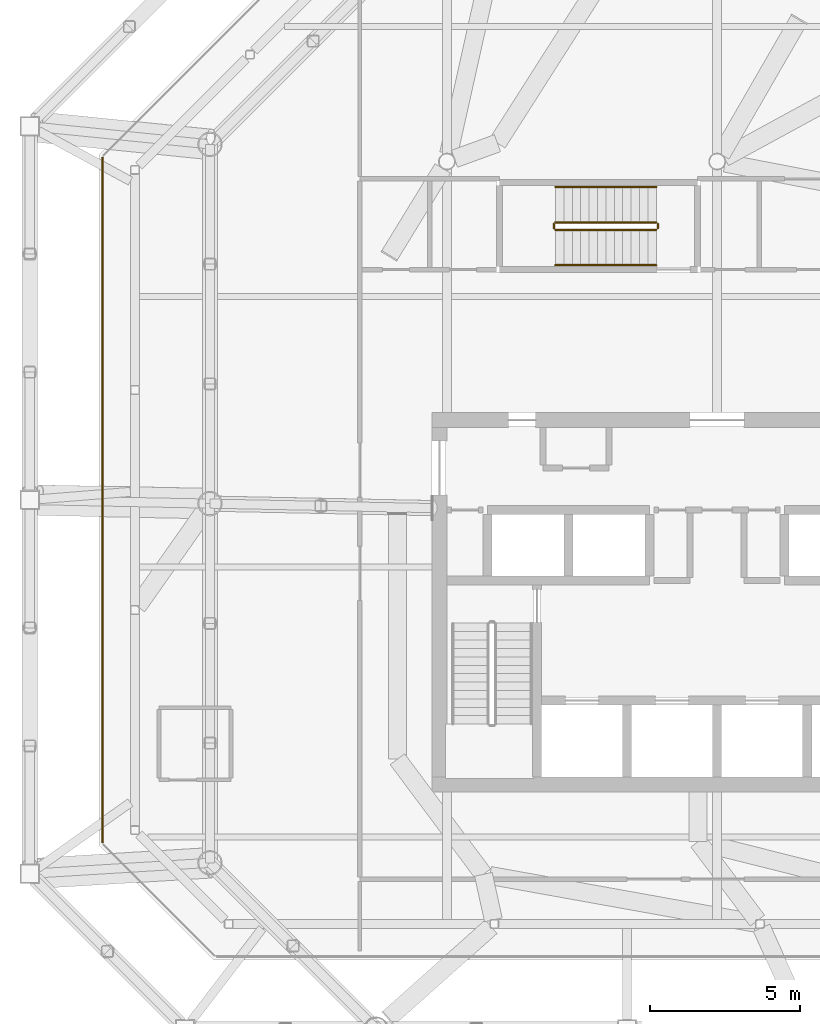
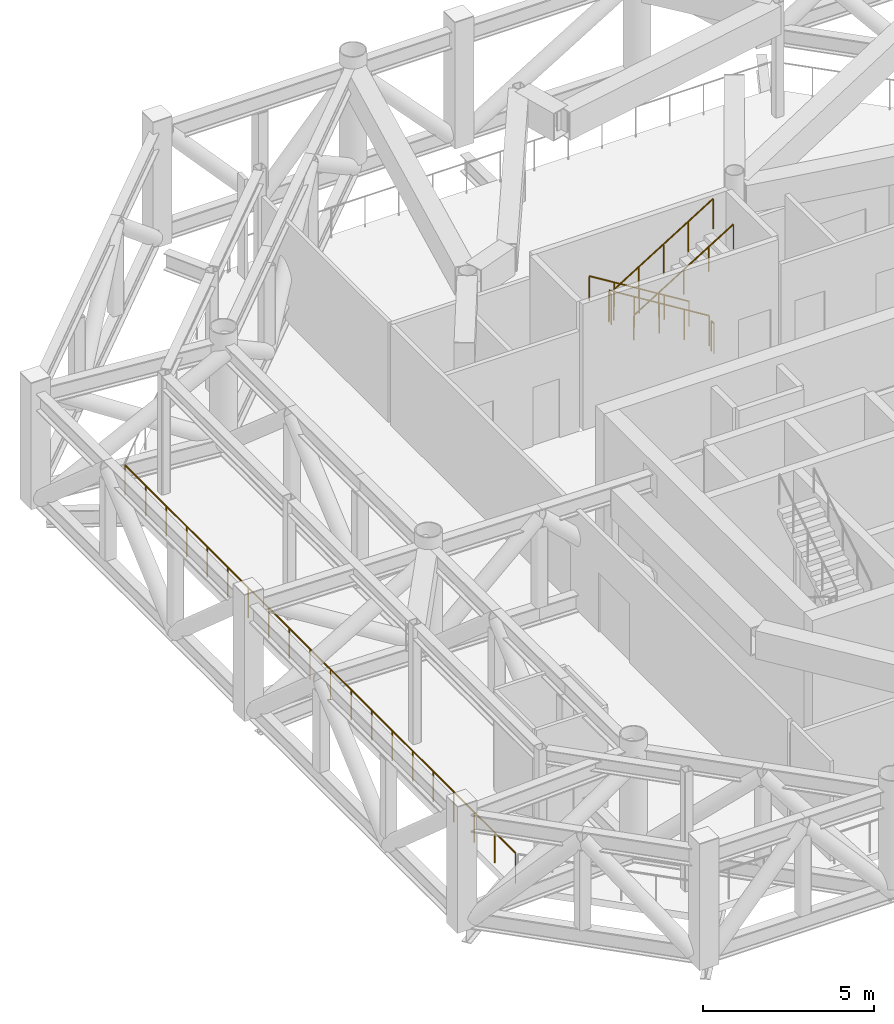
# One storey, part 13 of 14: 7 railings.
"""IFC4 building model written with IfcOpenShell, lengths in metres."""

from ifc_helpers import new_model, si_unit, direction, frame, origin, origin_2d, place, context, subcontext, project, spatial, circle, extrude, material, type_object, element, save


model = new_model("IFC4")

# Units and contexts
model_context = context("Model", 3, precision=1e-05, world=origin(), true_north=direction((0.0, 1.0)))
body_context = subcontext(model_context, "Body", "Model", "MODEL_VIEW")
ifc_project = project(units=[si_unit("LENGTHUNIT", "METRE"), si_unit("AREAUNIT", "SQUARE_METRE"), si_unit("VOLUMEUNIT", "CUBIC_METRE"), si_unit("PLANEANGLEUNIT", "RADIAN"), si_unit("MASSUNIT", "GRAM", prefix="KILO")], contexts=[model_context])

# Site, building, storey
site_placement = place(None, origin())
site = spatial("IfcSite", under=ifc_project, at=site_placement, CompositionType="ELEMENT")
building_placement = place(site_placement, origin())
building = spatial("IfcBuilding", under=site, at=building_placement, Name="Tskaro Facet Tower", CompositionType="ELEMENT")
storey_placement = place(building_placement, frame((0.0, 0.0, 255.0)))
storey = spatial("IfcBuildingStorey", under=building, at=storey_placement, Name="L67", CompositionType="ELEMENT", Elevation=255.0)

# Railings
ifc_material_1 = material(Name="Bronze anodised aluminium 6063-T6", Category="aluminium")
railing_type_1 = type_object("IfcRailingType", Name="Bronze guard rail (GD1)", PredefinedType="GUARDRAIL", material=ifc_material_1)
railing_1_placement = place(storey_placement, frame((-20.470947265625, 9.126953125, 0.0)))
element("IfcRailing", 1, at=railing_1_placement, inside=storey, type_object=railing_type_1, Name="Guard L67", PredefinedType="GUARDRAIL", context=body_context, shape_type="SweptSolid", body=[
    extrude(circle(Radius=0.02490234375, at=origin_2d()), frame((0.0, 0.0, 1.0751953125), z_axis=(0.0, -1.0, 0.0), x_axis=(1.0, 0.0, 0.0)), (0.0, 0.0, 1.0), 22.796875),
    extrude(circle(Radius=0.02001953125, at=origin_2d()), origin(), (0.0, 0.0, 1.0), 1.050048828125),
    extrude(circle(Radius=0.02001953125, at=origin_2d()), frame((0.0, -1.199951171875, 0.0)), (0.0, 0.0, 1.0), 1.050048828125),
    extrude(circle(Radius=0.02001953125, at=origin_2d()), frame((0.0, -2.399658203125, 0.0)), (0.0, 0.0, 1.0), 1.050048828125),
    extrude(circle(Radius=0.02001953125, at=origin_2d()), frame((0.0, -3.599609375, 0.0)), (0.0, 0.0, 1.0), 1.050048828125),
    extrude(circle(Radius=0.02001953125, at=origin_2d()), frame((0.0, -4.79931640625, 0.0)), (0.0, 0.0, 1.0), 1.050048828125),
    extrude(circle(Radius=0.02001953125, at=origin_2d()), frame((0.0, -5.999267578125, 0.0)), (0.0, 0.0, 1.0), 1.050048828125),
    extrude(circle(Radius=0.02001953125, at=origin_2d()), frame((0.0, -7.198974609375, 0.0)), (0.0, 0.0, 1.0), 1.050048828125),
    extrude(circle(Radius=0.02001953125, at=origin_2d()), frame((0.0, -8.39892578125, 0.0)), (0.0, 0.0, 1.0), 1.050048828125),
    extrude(circle(Radius=0.02001953125, at=origin_2d()), frame((0.0, -9.5986328125, 0.0)), (0.0, 0.0, 1.0), 1.050048828125),
    extrude(circle(Radius=0.02001953125, at=origin_2d()), frame((0.0, -10.798583984375, 0.0)), (0.0, 0.0, 1.0), 1.050048828125),
    extrude(circle(Radius=0.02001953125, at=origin_2d()), frame((0.0, -11.998291015625, 0.0)), (0.0, 0.0, 1.0), 1.050048828125),
    extrude(circle(Radius=0.02001953125, at=origin_2d()), frame((0.0, -13.1982421875, 0.0)), (0.0, 0.0, 1.0), 1.050048828125),
    extrude(circle(Radius=0.02001953125, at=origin_2d()), frame((0.0, -14.39794921875, 0.0)), (0.0, 0.0, 1.0), 1.050048828125),
    extrude(circle(Radius=0.02001953125, at=origin_2d()), frame((0.0, -15.597900390625, 0.0)), (0.0, 0.0, 1.0), 1.050048828125),
    extrude(circle(Radius=0.02001953125, at=origin_2d()), frame((0.0, -16.797607421875, 0.0)), (0.0, 0.0, 1.0), 1.050048828125),
    extrude(circle(Radius=0.02001953125, at=origin_2d()), frame((0.0, -17.99755859375, 0.0)), (0.0, 0.0, 1.0), 1.050048828125),
    extrude(circle(Radius=0.02001953125, at=origin_2d()), frame((0.0, -19.197265625, 0.0)), (0.0, 0.0, 1.0), 1.050048828125),
    extrude(circle(Radius=0.02001953125, at=origin_2d()), frame((0.0, -20.397216796875, 0.0)), (0.0, 0.0, 1.0), 1.050048828125),
    extrude(circle(Radius=0.02001953125, at=origin_2d()), frame((0.0, -21.596923828125, 0.0)), (0.0, 0.0, 1.0), 1.050048828125),
    extrude(circle(Radius=0.02001953125, at=origin_2d()), frame((0.0, -22.796875, 0.0)), (0.0, 0.0, 1.0), 1.050048828125),
])
ifc_material_2 = material(Name="Stainless steel", Category="steel")
railing_type_2 = type_object("IfcRailingType", Name="RL-GUARD-1100", PredefinedType="GUARDRAIL", material=ifc_material_2)
railing_2_placement = place(storey_placement, frame((-2.02490234375, 6.97509765625, 0.173095703125)))
element("IfcRailing", 2, at=railing_2_placement, inside=storey, type_object=railing_type_2, Name="L67 ST-3 stair guard 1", PredefinedType="GUARDRAIL", context=body_context, shape_type="SweptSolid", body=[
    extrude(circle(Radius=0.02392578125, at=origin_2d()), frame((0.0, 0.0, 1.076171875), z_axis=(-0.850623216509, 0.0, 0.525775754039), x_axis=(0.0, -1.0, 0.0)), (0.0, 0.0, 1.0), 3.9501953125),
    extrude(circle(Radius=0.02099609375, at=origin_2d()), origin(), (0.0, 0.0, 1.0), 1.052001953125),
    extrude(circle(Radius=0.02099609375, at=origin_2d()), frame((-0.840087890625, 0.0, 0.519287109375)), (0.0, 0.0, 1.0), 1.052001953125),
    extrude(circle(Radius=0.02099609375, at=origin_2d()), frame((-1.68017578125, 0.0, 1.03857421875)), (0.0, 0.0, 1.0), 1.052001953125),
    extrude(circle(Radius=0.02099609375, at=origin_2d()), frame((-2.52001953125, 0.0, 1.5576171875)), (0.0, 0.0, 1.0), 1.052001953125),
    extrude(circle(Radius=0.02099609375, at=origin_2d()), frame((-3.360107421875, 0.0, 2.076904296875)), (0.0, 0.0, 1.0), 1.052001953125),
])
railing_3_placement = place(storey_placement, frame((-5.43505859375, 6.925048828125, 2.25)))
element("IfcRailing", 3, at=railing_3_placement, inside=storey, type_object=railing_type_2, Name="L67 ST-3 stair guard 2", PredefinedType="GUARDRAIL", context=body_context, shape_type="SweptSolid", body=[
    extrude(circle(Radius=0.02392578125, at=origin_2d()), frame((0.0, 0.0, 1.076171875), z_axis=(0.0, -1.0, 0.0), x_axis=(1.0, 0.0, 0.0)), (0.0, 0.0, 1.0), 0.150146484375),
    extrude(circle(Radius=0.02099609375, at=origin_2d()), origin(), (0.0, 0.0, 1.0), 1.052001953125),
    extrude(circle(Radius=0.02099609375, at=origin_2d()), frame((0.0, -0.150146484375, 0.0)), (0.0, 0.0, 1.0), 1.052001953125),
])
railing_4_placement = place(storey_placement, frame((-5.385009765625, 6.72509765625, 2.423095703125)))
element("IfcRailing", 4, at=railing_4_placement, inside=storey, type_object=railing_type_2, Name="L67 ST-3 stair guard 3", PredefinedType="GUARDRAIL", context=body_context, shape_type="SweptSolid", body=[
    extrude(circle(Radius=0.02392578125, at=origin_2d()), frame((0.0, 0.0, 1.076171875), z_axis=(0.850623216509, 0.0, 0.525775754039), x_axis=(0.0, 1.0, 0.0)), (0.0, 0.0, 1.0), 3.9501953125),
    extrude(circle(Radius=0.02099609375, at=origin_2d()), origin(), (0.0, 0.0, 1.0), 1.052001953125),
    extrude(circle(Radius=0.02099609375, at=origin_2d()), frame((0.840087890625, 0.0, 0.519287109375)), (0.0, 0.0, 1.0), 1.052001953125),
    extrude(circle(Radius=0.02099609375, at=origin_2d()), frame((1.68017578125, 0.0, 1.03857421875)), (0.0, 0.0, 1.0), 1.052001953125),
    extrude(circle(Radius=0.02099609375, at=origin_2d()), frame((2.52001953125, 0.0, 1.5576171875)), (0.0, 0.0, 1.0), 1.052001953125),
    extrude(circle(Radius=0.02099609375, at=origin_2d()), frame((3.360107421875, 0.0, 2.076904296875)), (0.0, 0.0, 1.0), 1.052001953125),
])
railing_5_placement = place(storey_placement, frame((-1.97509765625, 6.925048828125, 0.0)))
element("IfcRailing", 5, at=railing_5_placement, inside=storey, type_object=railing_type_2, Name="L67 ST-3 stair guard 4", PredefinedType="GUARDRAIL", context=body_context, shape_type="SweptSolid", body=[
    extrude(circle(Radius=0.02392578125, at=origin_2d()), frame((0.0, 0.0, 1.076171875), z_axis=(0.0, -1.0, 0.0), x_axis=(1.0, 0.0, 0.0)), (0.0, 0.0, 1.0), 0.150146484375),
    extrude(circle(Radius=0.02099609375, at=origin_2d()), origin(), (0.0, 0.0, 1.0), 1.052001953125),
    extrude(circle(Radius=0.02099609375, at=origin_2d()), frame((0.0, -0.150146484375, 0.0)), (0.0, 0.0, 1.0), 1.052001953125),
])
railing_type_3 = type_object("IfcRailingType", Name="RL-HANDRAIL-900", PredefinedType="HANDRAIL", material=ifc_material_2)
railing_6_placement = place(storey_placement, frame((-2.02490234375, 8.14990234375, 0.173095703125)))
element("IfcRailing", 6, at=railing_6_placement, inside=storey, type_object=railing_type_3, Name="L67 ST-3 stair handrail 1", PredefinedType="HANDRAIL", context=body_context, shape_type="SweptSolid", body=[
    extrude(circle(Radius=0.02392578125, at=origin_2d()), frame((0.0, 0.0, 0.8759765625), z_axis=(-0.850623216509, 0.0, 0.525775754039), x_axis=(0.0, -1.0, 0.0)), (0.0, 0.0, 1.0), 3.9501953125),
    extrude(circle(Radius=0.02099609375, at=origin_2d()), origin(), (0.0, 0.0, 1.0), 0.851806640625),
    extrude(circle(Radius=0.02099609375, at=origin_2d()), frame((-0.840087890625, 0.0, 0.519287109375)), (0.0, 0.0, 1.0), 0.851806640625),
    extrude(circle(Radius=0.02099609375, at=origin_2d()), frame((-1.68017578125, 0.0, 1.03857421875)), (0.0, 0.0, 1.0), 0.851806640625),
    extrude(circle(Radius=0.02099609375, at=origin_2d()), frame((-2.52001953125, 0.0, 1.5576171875)), (0.0, 0.0, 1.0), 0.851806640625),
    extrude(circle(Radius=0.02099609375, at=origin_2d()), frame((-3.360107421875, 0.0, 2.076904296875)), (0.0, 0.0, 1.0), 0.851806640625),
])
railing_7_placement = place(storey_placement, frame((-5.385009765625, 5.550048828125, 2.423095703125)))
element("IfcRailing", 7, at=railing_7_placement, inside=storey, type_object=railing_type_3, Name="L67 ST-3 stair handrail 2", PredefinedType="HANDRAIL", context=body_context, shape_type="SweptSolid", body=[
    extrude(circle(Radius=0.02392578125, at=origin_2d()), frame((0.0, 0.0, 0.8759765625), z_axis=(0.850623216509, 0.0, 0.525775754039), x_axis=(0.0, 1.0, 0.0)), (0.0, 0.0, 1.0), 3.9501953125),
    extrude(circle(Radius=0.02099609375, at=origin_2d()), origin(), (0.0, 0.0, 1.0), 0.851806640625),
    extrude(circle(Radius=0.02099609375, at=origin_2d()), frame((0.840087890625, 0.0, 0.519287109375)), (0.0, 0.0, 1.0), 0.851806640625),
    extrude(circle(Radius=0.02099609375, at=origin_2d()), frame((1.68017578125, 0.0, 1.03857421875)), (0.0, 0.0, 1.0), 0.851806640625),
    extrude(circle(Radius=0.02099609375, at=origin_2d()), frame((2.52001953125, 0.0, 1.5576171875)), (0.0, 0.0, 1.0), 0.851806640625),
    extrude(circle(Radius=0.02099609375, at=origin_2d()), frame((3.360107421875, 0.0, 2.076904296875)), (0.0, 0.0, 1.0), 0.851806640625),
])

save(model, "model.ifc")
